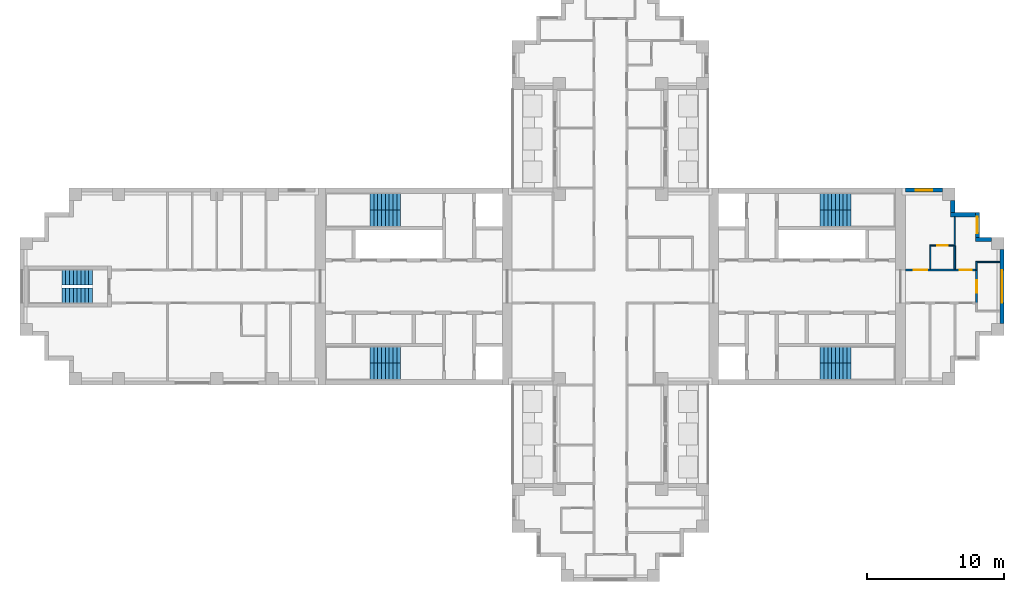
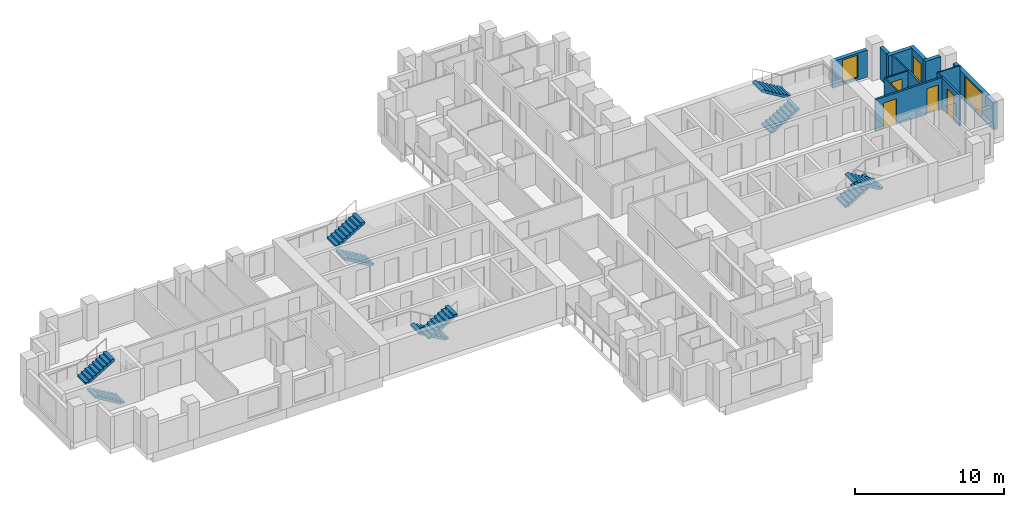
# One storey, part 8 of 10: 14 walls, 10 stair flights, 4 doors, 3 windows, 7 openings, 5 elements without a shape of their own.
"""IFC4 building model written with IfcOpenShell, lengths in metres."""

from ifc_helpers import new_model, si_unit, direction, frame, frame_2d, origin, place, context, subcontext, project, spatial, polyline, rectangle, outline, extrude, material, layer, layer_set, type_object, element, fill, aggregate, save


model = new_model("IFC4")

# Units and contexts
model_context = context("Model", 3, precision=1e-05, world=origin(), true_north=direction((0.0, 1.0)))
body_context = subcontext(model_context, "Body", "Model", "MODEL_VIEW")
ifc_project = project(units=[si_unit("LENGTHUNIT", "METRE"), si_unit("AREAUNIT", "SQUARE_METRE"), si_unit("VOLUMEUNIT", "CUBIC_METRE"), si_unit("PLANEANGLEUNIT", "RADIAN"), si_unit("MASSUNIT", "GRAM", prefix="KILO")], contexts=[model_context])

# Site, building, storey
site_placement = place(None, origin())
site = spatial("IfcSite", under=ifc_project, at=site_placement, CompositionType="ELEMENT")
building_placement = place(site_placement, origin())
building = spatial("IfcBuilding", under=site, at=building_placement, Name="Fustian Cross Tower", CompositionType="ELEMENT")
storey_placement = place(building_placement, frame((0.0, 0.0, 182.699951171875)))
storey = spatial("IfcBuildingStorey", under=building, at=storey_placement, Name="L57", CompositionType="ELEMENT", Elevation=182.699951171875)

# Wall, openings, doors
ifc_material_1 = material(Name="Plasterboard on steel stud", Category="steel")
ifc_layer_1 = layer(ifc_material_1, 0.14990234375)
ifc_layer_set_1 = layer_set([ifc_layer_1], Name="Plasterboard on steel stud")
wall_type_1 = type_object("IfcWallType", Name="COMPARTMENT WALL 150 EI 60", PredefinedType="PARTITIONING", material=ifc_layer_set_1)
wall_1_placement = place(storey_placement, frame((21.60009765625, 1.199951171875, 0.0), z_axis=(0.0, 0.0, 1.0), x_axis=(1.0, 0.0, 0.0)))
wall_1 = element("IfcWall", 1, at=wall_1_placement, inside=storey, type_object=wall_type_1, Name="Partition 59", PredefinedType="PARTITIONING", context=body_context, shape_type="SweptSolid", body=[
    extrude(rectangle(XDim=5.125, YDim=0.14990234375, at=frame_2d((2.5625, 0.0))), origin(), (0.0, 0.0, 1.0), 2.60009765625),
])
opening_1_placement = place(wall_1_placement, frame((0.60009765625, 0.0, 0.0)))
opening_1 = element("IfcOpeningElement", 2, at=opening_1_placement, cuts=wall_1, Name="Opening D26012", PredefinedType="OPENING", context=body_context, shape_type="SweptSolid", body=[
    extrude(rectangle(XDim=1.0, YDim=2.10009765625, at=frame_2d((0.5, 1.050048828125))), frame((0.0, 0.0849609375, 0.0), z_axis=(0.0, -1.0, 0.0), x_axis=(1.0, 0.0, 0.0)), (0.0, 0.0, 1.0), 0.169921875),
])
opening_2_placement = place(wall_1_placement, frame((3.949951171875, 0.0, 0.0)))
opening_2 = element("IfcOpeningElement", 3, at=opening_2_placement, cuts=wall_1, Name="Opening D26013", PredefinedType="OPENING", context=body_context, shape_type="SweptSolid", body=[
    extrude(rectangle(XDim=0.89990234375, YDim=2.10009765625, at=frame_2d((0.449951171875, 1.050048828125))), frame((0.0, 0.0849609375, 0.0), z_axis=(0.0, -1.0, 0.0), x_axis=(1.0, 0.0, 0.0)), (0.0, 0.0, 1.0), 0.169921875),
])
ifc_material_2 = material(Name="Timber fire door set", Category="wood")
door_type_1 = type_object("IfcDoorType", Name="FIRE SWING DOOR 1000 FD30S", OperationType="SINGLE_SWING_LEFT", PredefinedType="DOOR", material=ifc_material_2)
door_1_placement = place(opening_1_placement, origin())
door_1 = element("IfcDoor", 4, at=door_1_placement, inside=storey, type_object=door_type_1, Name="Door D26012", OperationType="SINGLE_SWING_RIGHT", OverallHeight=2.10009765625, OverallWidth=1.0, PredefinedType="DOOR", context=body_context, shape_type="SweptSolid", body=[
    extrude(rectangle(XDim=1.0, YDim=2.10009765625, at=frame_2d((0.5, 1.050048828125))), frame((0.0, 0.02490234375, 0.0), z_axis=(0.0, -1.0, 0.0), x_axis=(1.0, 0.0, 0.0)), (0.0, 0.0, 1.0), 0.050048828125),
])
fill(opening_1, door_1)
ifc_material_3 = material(Name="Timber fire door set", Category="wood")
door_type_2 = type_object("IfcDoorType", Name="FIRE SWING DOOR 900 FD30S", OperationType="SINGLE_SWING_LEFT", PredefinedType="DOOR", material=ifc_material_3)
door_2_placement = place(opening_2_placement, origin())
door_2 = element("IfcDoor", 5, at=door_2_placement, inside=storey, type_object=door_type_2, Name="Door D26013", OperationType="SINGLE_SWING_LEFT", OverallHeight=2.10009765625, OverallWidth=0.89990234375, PredefinedType="DOOR", context=body_context, shape_type="SweptSolid", body=[
    extrude(rectangle(XDim=0.89990234375, YDim=2.10009765625, at=frame_2d((0.449951171875, 1.050048828125))), frame((0.0, 0.02490234375, 0.0), z_axis=(0.0, -1.0, 0.0), x_axis=(1.0, 0.0, 0.0)), (0.0, 0.0, 1.0), 0.050048828125),
])
fill(opening_2, door_2)

# Wall, opening, door
wall_2_placement = place(storey_placement, frame((26.800048828125, -1.199951171875, 0.0), z_axis=(0.0, 0.0, 1.0), x_axis=(0.0, 1.0, 0.0)))
wall_2 = element("IfcWall", 6, at=wall_2_placement, inside=storey, type_object=wall_type_1, Name="Partition 68", PredefinedType="PARTITIONING", context=body_context, shape_type="SweptSolid", body=[
    extrude(rectangle(XDim=2.39990234375, YDim=0.14990234375, at=frame_2d((1.199951171875, 0.0))), origin(), (0.0, 0.0, 1.0), 2.60009765625),
])
opening_3_placement = place(wall_2_placement, frame((0.75, 0.0, 0.0)))
opening_3 = element("IfcOpeningElement", 7, at=opening_3_placement, cuts=wall_2, Name="Opening D26010", PredefinedType="OPENING", context=body_context, shape_type="SweptSolid", body=[
    extrude(rectangle(XDim=0.89990234375, YDim=2.10009765625, at=frame_2d((0.449951171875, 1.050048828125))), frame((0.0, 0.0849609375, 0.0), z_axis=(0.0, -1.0, 0.0), x_axis=(1.0, 0.0, 0.0)), (0.0, 0.0, 1.0), 0.169921875),
])
door_3_placement = place(opening_3_placement, frame((0.89990234375, 0.0, 0.0), z_axis=(0.0, 0.0, 1.0), x_axis=(-1.0, 0.0, 0.0)))
door_3 = element("IfcDoor", 8, at=door_3_placement, inside=storey, type_object=door_type_2, Name="Door D26010", OperationType="SINGLE_SWING_RIGHT", OverallHeight=2.10009765625, OverallWidth=0.89990234375, PredefinedType="DOOR", context=body_context, shape_type="SweptSolid", body=[
    extrude(rectangle(XDim=0.89990234375, YDim=2.10009765625, at=frame_2d((0.449951171875, 1.050048828125))), frame((0.0, 0.02490234375, 0.0), z_axis=(0.0, -1.0, 0.0), x_axis=(1.0, 0.0, 0.0)), (0.0, 0.0, 1.0), 0.050048828125),
])
fill(opening_3, door_3)

# Wall
ifc_material_4 = material(Name="Plasterboard on steel stud", Category="steel")
ifc_layer_2 = layer(ifc_material_4, 0.10009765625)
ifc_layer_set_2 = layer_set([ifc_layer_2], Name="Plasterboard on steel stud")
wall_type_2 = type_object("IfcWallType", Name="PARTITION 100 STUD", PredefinedType="PARTITIONING", material=ifc_layer_set_2)
wall_3_placement = place(storey_placement, frame((23.39990234375, 1.27490234375, 0.0), z_axis=(0.0, 0.0, 1.0), x_axis=(0.0, 1.0, 0.0)))
element("IfcWall", 9, at=wall_3_placement, inside=storey, type_object=wall_type_2, Name="Partition 61", PredefinedType="PARTITIONING", context=body_context, shape_type="SweptSolid", body=[
    extrude(rectangle(XDim=1.775146484375, YDim=0.10009765625, at=frame_2d((0.8876953125, 0.0))), origin(), (0.0, 0.0, 1.0), 2.60009765625),
])

# Wall, opening, door
wall_4_placement = place(storey_placement, frame((23.449951171875, 3.0, 0.0), z_axis=(0.0, 0.0, 1.0), x_axis=(1.0, 0.0, 0.0)))
wall_4 = element("IfcWall", 10, at=wall_4_placement, inside=storey, type_object=wall_type_2, Name="Partition 62", PredefinedType="PARTITIONING", context=body_context, shape_type="SweptSolid", body=[
    extrude(rectangle(XDim=1.6875, YDim=0.10009765625, at=frame_2d((0.84375, 0.0))), origin(), (0.0, 0.0, 1.0), 2.60009765625),
])
opening_4_placement = place(wall_4_placement, frame((0.449951171875, 0.0, 0.0)))
opening_4 = element("IfcOpeningElement", 11, at=opening_4_placement, cuts=wall_4, Name="Opening D26011", PredefinedType="OPENING", context=body_context, shape_type="SweptSolid", body=[
    extrude(rectangle(XDim=0.800048828125, YDim=2.10009765625, at=frame_2d((0.39990234375, 1.050048828125))), frame((0.0, 0.06005859375, 0.0), z_axis=(0.0, -1.0, 0.0), x_axis=(1.0, 0.0, 0.0)), (0.0, 0.0, 1.0), 0.1201171875),
])
ifc_material_5 = material(Name="Painted timber", Category="wood")
door_type_3 = type_object("IfcDoorType", Name="SWING DOOR 800", OperationType="SINGLE_SWING_LEFT", PredefinedType="DOOR", material=ifc_material_5)
door_4_placement = place(opening_4_placement, frame((0.800048828125, 0.0, 0.0), z_axis=(0.0, 0.0, 1.0), x_axis=(-1.0, 0.0, 0.0)))
door_4 = element("IfcDoor", 12, at=door_4_placement, inside=storey, type_object=door_type_3, Name="Door D26011", OperationType="SINGLE_SWING_LEFT", OverallHeight=2.10009765625, OverallWidth=0.800048828125, PredefinedType="DOOR", context=body_context, shape_type="SweptSolid", body=[
    extrude(rectangle(XDim=0.800048828125, YDim=2.10009765625, at=frame_2d((0.39990234375, 1.050048828125))), frame((0.0, 0.02490234375, 0.0), z_axis=(0.0, -1.0, 0.0), x_axis=(1.0, 0.0, 0.0)), (0.0, 0.0, 1.0), 0.050048828125),
])
fill(opening_4, door_4)

# Walls
wall_5_placement = place(storey_placement, frame((25.199951171875, 3.0, 0.0), z_axis=(0.0, 0.0, 1.0), x_axis=(0.0, 1.0, 0.0)))
element("IfcWall", 13, at=wall_5_placement, inside=storey, type_object=wall_type_2, Name="Partition 65", PredefinedType="PARTITIONING", context=body_context, shape_type="SweptSolid", body=[
    extrude(rectangle(XDim=2.10009765625, YDim=0.10009765625, at=frame_2d((1.050048828125, 0.0))), origin(), (0.0, 0.0, 1.0), 2.60009765625),
])
wall_6_placement = place(storey_placement, frame((26.800048828125, 1.199951171875, 0.0), z_axis=(0.0, 0.0, 1.0), x_axis=(0.0, 1.0, 0.0)))
element("IfcWall", 14, at=wall_6_placement, inside=storey, type_object=wall_type_2, Name="Partition 69", PredefinedType="PARTITIONING", context=body_context, shape_type="SweptSolid", body=[
    extrude(rectangle(XDim=0.650146484375, YDim=0.10009765625, at=frame_2d((0.3251953125, 0.0))), origin(), (0.0, 0.0, 1.0), 2.60009765625),
])
wall_7_placement = place(storey_placement, frame((26.85009765625, 1.800048828125, 0.0), z_axis=(0.0, 0.0, 1.0), x_axis=(1.0, 0.0, 0.0)))
element("IfcWall", 15, at=wall_7_placement, inside=storey, type_object=wall_type_2, Name="Partition 70", PredefinedType="PARTITIONING", context=body_context, shape_type="SweptSolid", body=[
    extrude(rectangle(XDim=1.64990234375, YDim=0.10009765625, at=frame_2d((0.824951171875, 0.0))), origin(), (0.0, 0.0, 1.0), 2.60009765625),
])
ifc_material_6 = material(Name="Plasterboard on steel stud", Category="steel")
ifc_layer_3 = layer(ifc_material_6, 0.125)
ifc_layer_set_3 = layer_set([ifc_layer_3], Name="Plasterboard on steel stud")
wall_type_3 = type_object("IfcWallType", Name="WET WALL 125 STUD", PredefinedType="PARTITIONING", material=ifc_layer_set_3)
wall_8_placement = place(storey_placement, frame((25.199951171875, 1.27490234375, 0.0), z_axis=(0.0, 0.0, 1.0), x_axis=(0.0, 1.0, 0.0)))
element("IfcWall", 16, at=wall_8_placement, inside=storey, type_object=wall_type_3, Name="Partition 64", PredefinedType="PARTITIONING", context=body_context, shape_type="SweptSolid", body=[
    extrude(rectangle(XDim=1.72509765625, YDim=0.125, at=frame_2d((0.862548828125, 0.0))), origin(), (0.0, 0.0, 1.0), 2.60009765625),
])

# Wall, opening, window
ifc_material_7 = material(Name="Dark aluminium cladding on insulated backing wall", Category="aluminium")
ifc_layer_4 = layer(ifc_material_7, 0.300048828125)
ifc_layer_set_4 = layer_set([ifc_layer_4], Name="Dark aluminium cladding on insulated backing wall")
wall_type_4 = type_object("IfcWallType", Name="XW1 EXTERNAL WALL 300", PredefinedType="SOLIDWALL", material=ifc_layer_set_4)
wall_9_placement = place(storey_placement, frame((28.64990234375, -2.699951171875, 0.0), z_axis=(0.0, 0.0, 1.0), x_axis=(0.0, 1.0, 0.0)))
wall_9 = element("IfcWall", 17, at=wall_9_placement, inside=storey, type_object=wall_type_4, Name="External wall", PredefinedType="SOLIDWALL", context=body_context, shape_type="SweptSolid", body=[
    extrude(rectangle(XDim=5.39990234375, YDim=0.300048828125, at=frame_2d((2.699951171875, 0.0))), origin(), (0.0, 0.0, 1.0), 2.199951171875),
])
opening_5_placement = place(wall_9_placement, frame((1.5, 0.0, 0.199951171875)))
opening_5 = element("IfcOpeningElement", 18, at=opening_5_placement, cuts=wall_9, Name="Opening WN1", PredefinedType="OPENING", context=body_context, shape_type="SweptSolid", body=[
    extrude(rectangle(XDim=2.39990234375, YDim=1.85009765625, at=frame_2d((1.199951171875, 0.925048828125))), frame((0.0, 0.159912109375, 0.0), z_axis=(0.0, -1.0, 0.0), x_axis=(1.0, 0.0, 0.0)), (0.0, 0.0, 1.0), 0.320068359375),
])
ifc_material_8 = material(Name="Dark anodised aluminium and double glazing", Category="aluminium")
window_type_1 = type_object("IfcWindowType", Name="WN1 WINDOW 2400X1850", PartitioningType="SINGLE_PANEL", PredefinedType="WINDOW", material=ifc_material_8)
window_1_placement = place(opening_5_placement, origin())
window_1 = element("IfcWindow", 19, at=window_1_placement, inside=storey, type_object=window_type_1, Name="Window", OverallHeight=1.85009765625, OverallWidth=2.39990234375, PartitioningType="SINGLE_PANEL", PredefinedType="WINDOW", context=body_context, shape_type="SweptSolid", body=[
    extrude(rectangle(XDim=2.39990234375, YDim=1.85009765625, at=frame_2d((1.199951171875, 0.925048828125))), frame((0.0, 0.030029296875, 0.0), z_axis=(0.0, -1.0, 0.0), x_axis=(1.0, 0.0, 0.0)), (0.0, 0.0, 1.0), 0.06005859375),
])
fill(opening_5, window_1)

# Wall
wall_10_placement = place(storey_placement, frame((27.89990234375, 3.449951171875, 0.0), z_axis=(0.0, 0.0, 1.0), x_axis=(-1.0, 0.0, 0.0)))
element("IfcWall", 20, at=wall_10_placement, inside=storey, type_object=wall_type_4, Name="External wall", PredefinedType="SOLIDWALL", context=body_context, shape_type="SweptSolid", body=[
    extrude(rectangle(XDim=1.199951171875, YDim=0.300048828125, at=frame_2d((0.60009765625, 0.0))), origin(), (0.0, 0.0, 1.0), 2.60009765625),
])

# Wall, opening, window
wall_11_placement = place(storey_placement, frame((26.85009765625, 3.60009765625, 0.0), z_axis=(0.0, 0.0, 1.0), x_axis=(0.0, 1.0, 0.0)))
wall_11 = element("IfcWall", 21, at=wall_11_placement, inside=storey, type_object=wall_type_4, Name="External wall", PredefinedType="SOLIDWALL", context=body_context, shape_type="SweptSolid", body=[
    extrude(rectangle(XDim=1.7998046875, YDim=0.300048828125, at=frame_2d((0.89990234375, 0.0))), origin(), (0.0, 0.0, 1.0), 2.60009765625),
])
opening_6_placement = place(wall_11_placement, frame((0.300048828125, 0.0, 0.199951171875)))
opening_6 = element("IfcOpeningElement", 22, at=opening_6_placement, cuts=wall_11, Name="Opening WN3", PredefinedType="OPENING", context=body_context, shape_type="SweptSolid", body=[
    extrude(rectangle(XDim=1.199951171875, YDim=1.85009765625, at=frame_2d((0.60009765625, 0.925048828125))), frame((0.0, 0.159912109375, 0.0), z_axis=(0.0, -1.0, 0.0), x_axis=(1.0, 0.0, 0.0)), (0.0, 0.0, 1.0), 0.320068359375),
])
ifc_material_9 = material(Name="Dark anodised aluminium and double glazing", Category="aluminium")
window_type_2 = type_object("IfcWindowType", Name="WN3 WINDOW 1200X1850", PartitioningType="SINGLE_PANEL", PredefinedType="WINDOW", material=ifc_material_9)
window_2_placement = place(opening_6_placement, origin())
window_2 = element("IfcWindow", 23, at=window_2_placement, inside=storey, type_object=window_type_2, Name="Window", OverallHeight=1.85009765625, OverallWidth=1.199951171875, PartitioningType="SINGLE_PANEL", PredefinedType="WINDOW", context=body_context, shape_type="SweptSolid", body=[
    extrude(rectangle(XDim=1.199951171875, YDim=1.85009765625, at=frame_2d((0.60009765625, 0.925048828125))), frame((0.0, 0.030029296875, 0.0), z_axis=(0.0, -1.0, 0.0), x_axis=(1.0, 0.0, 0.0)), (0.0, 0.0, 1.0), 0.06005859375),
])
fill(opening_6, window_2)

# Walls
wall_12_placement = place(storey_placement, frame((26.699951171875, 5.25, 0.0), z_axis=(0.0, 0.0, 1.0), x_axis=(-1.0, 0.0, 0.0)))
element("IfcWall", 24, at=wall_12_placement, inside=storey, type_object=wall_type_4, Name="External wall", PredefinedType="SOLIDWALL", context=body_context, shape_type="SweptSolid", body=[
    extrude(rectangle(XDim=1.800048828125, YDim=0.300048828125, at=frame_2d((0.89990234375, 0.0))), origin(), (0.0, 0.0, 1.0), 2.60009765625),
])
wall_13_placement = place(storey_placement, frame((25.050048828125, 5.39990234375, 0.0), z_axis=(0.0, 0.0, 1.0), x_axis=(0.0, 1.0, 0.0)))
element("IfcWall", 25, at=wall_13_placement, inside=storey, type_object=wall_type_4, Name="External wall", PredefinedType="SOLIDWALL", context=body_context, shape_type="SweptSolid", body=[
    extrude(rectangle(XDim=0.900146484375, YDim=0.300048828125, at=frame_2d((0.4501953125, 0.0))), origin(), (0.0, 0.0, 1.0), 2.60009765625),
])

# Wall, opening, window
wall_14_placement = place(storey_placement, frame((24.300048828125, 7.050048828125, 0.0), z_axis=(0.0, 0.0, 1.0), x_axis=(-1.0, 0.0, 0.0)))
wall_14 = element("IfcWall", 26, at=wall_14_placement, inside=storey, type_object=wall_type_4, Name="External wall", PredefinedType="SOLIDWALL", context=body_context, shape_type="SweptSolid", body=[
    extrude(rectangle(XDim=2.699951171875, YDim=0.300048828125, at=frame_2d((1.35009765625, 0.0))), origin(), (0.0, 0.0, 1.0), 2.199951171875),
])
opening_7_placement = place(wall_14_placement, frame((0.75, 0.0, 0.199951171875)))
opening_7 = element("IfcOpeningElement", 27, at=opening_7_placement, cuts=wall_14, Name="Opening WN3", PredefinedType="OPENING", context=body_context, shape_type="SweptSolid", body=[
    extrude(rectangle(XDim=1.199951171875, YDim=1.85009765625, at=frame_2d((0.60009765625, 0.925048828125))), frame((0.0, 0.159912109375, 0.0), z_axis=(0.0, -1.0, 0.0), x_axis=(1.0, 0.0, 0.0)), (0.0, 0.0, 1.0), 0.320068359375),
])
window_3_placement = place(opening_7_placement, origin())
window_3 = element("IfcWindow", 28, at=window_3_placement, inside=storey, type_object=window_type_2, Name="Window", OverallHeight=1.85009765625, OverallWidth=1.199951171875, PartitioningType="SINGLE_PANEL", PredefinedType="WINDOW", context=body_context, shape_type="SweptSolid", body=[
    extrude(rectangle(XDim=1.199951171875, YDim=1.85009765625, at=frame_2d((0.60009765625, 0.925048828125))), frame((0.0, 0.030029296875, 0.0), z_axis=(0.0, -1.0, 0.0), x_axis=(1.0, 0.0, 0.0)), (0.0, 0.0, 1.0), 0.06005859375),
])
fill(opening_7, window_3)

# Stair, stair flights
ifc_material_10 = material(Name="Concrete C50/60", Category="concrete")
stair_type_1 = type_object("IfcStairType", Name="STAIR 1100 HALF TURN", PredefinedType="HALF_TURN_STAIR", material=ifc_material_10)
stair_1_placement = place(storey_placement, origin())
stair_1 = element("IfcStair", 29, at=stair_1_placement, inside=storey, type_object=stair_type_1, Name="Stair ST9", PredefinedType="HALF_TURN_STAIR")
ifc_material_11 = material(Name="Concrete C50/60", Category="concrete")
stair_flight_type_1 = type_object("IfcStairFlightType", Name="STAIR FLIGHT 1100", PredefinedType="STRAIGHT", material=ifc_material_11)
stair_flight_1_placement = place(storey_placement, frame((-37.89990234375, -0.64990234375, 0.0), z_axis=(0.0, 0.0, 1.0), x_axis=(-1.0, 0.0, 0.0)))
stair_flight_1 = element("IfcStairFlight", 30, at=stair_flight_1_placement, type_object=stair_flight_type_1, Name="ST9 flight 1", NumberOfRisers=9, NumberOfTreads=8, PredefinedType="STRAIGHT", RiserHeight=0.166666667, TreadLength=0.28, context=body_context, shape_type="SweptSolid", body=[
    extrude(outline(polyline([(0.0, 0.0), (0.0, 0.166748046875), (0.280029296875, 0.166748046875), (0.280029296875, 0.333251953125), (0.56005859375, 0.333251953125), (0.56005859375, 0.5), (0.840087890625, 0.5), (0.840087890625, 0.666748046875), (1.1201171875, 0.666748046875), (1.1201171875, 0.833251953125), (1.39990234375, 0.833251953125), (1.39990234375, 1.0), (1.679931640625, 1.0), (1.679931640625, 1.166748046875), (1.9599609375, 1.166748046875), (1.9599609375, 1.333251953125), (2.239990234375, 1.333251953125), (2.239990234375, 1.5), (2.239990234375, 1.158935546875), (0.29296875, 0.0), (0.0, 0.0)])), frame((0.0, 0.550048828125, 0.0), z_axis=(0.0, -1.0, 0.0), x_axis=(1.0, 0.0, 0.0)), (0.0, 0.0, 1.0), 1.10009765625),
])
stair_flight_2_placement = place(storey_placement, frame((-40.139892578125, 0.64990234375, 1.5), z_axis=(0.0, 0.0, 1.0), x_axis=(1.0, 0.0, 0.0)))
stair_flight_2 = element("IfcStairFlight", 31, at=stair_flight_2_placement, type_object=stair_flight_type_1, Name="ST9 flight 2", NumberOfRisers=9, NumberOfTreads=8, PredefinedType="STRAIGHT", RiserHeight=0.166666667, TreadLength=0.28, context=body_context, shape_type="SweptSolid", body=[
    extrude(outline(polyline([(0.0, 0.0), (0.0, 0.166748046875), (0.280029296875, 0.166748046875), (0.280029296875, 0.333251953125), (0.56005859375, 0.333251953125), (0.56005859375, 0.5), (0.840087890625, 0.5), (0.840087890625, 0.666748046875), (1.1201171875, 0.666748046875), (1.1201171875, 0.833251953125), (1.39990234375, 0.833251953125), (1.39990234375, 1.0), (1.679931640625, 1.0), (1.679931640625, 1.166748046875), (1.9599609375, 1.166748046875), (1.9599609375, 1.333251953125), (2.239990234375, 1.333251953125), (2.239990234375, 1.5), (2.239990234375, 1.158935546875), (0.29296875, 0.0), (0.0, 0.0)])), frame((0.0, 0.550048828125, 0.0), z_axis=(0.0, -1.0, 0.0), x_axis=(1.0, 0.0, 0.0)), (0.0, 0.0, 1.0), 1.10009765625),
])
aggregate(stair_1, [stair_flight_1, stair_flight_2])

ifc_material_12 = material(Name="Concrete C50/60", Category="concrete")
stair_type_2 = type_object("IfcStairType", Name="STAIR 1200 HALF TURN", PredefinedType="HALF_TURN_STAIR", material=ifc_material_12)
stair_2_placement = place(storey_placement, origin())
stair_2 = element("IfcStair", 32, at=stair_2_placement, inside=storey, type_object=stair_type_2, Name="Stair ST1", PredefinedType="HALF_TURN_STAIR")
ifc_material_13 = material(Name="Concrete C50/60", Category="concrete")
stair_flight_type_2 = type_object("IfcStairFlightType", Name="STAIR FLIGHT 1200", PredefinedType="STRAIGHT", material=ifc_material_13)
stair_flight_3_placement = place(storey_placement, frame((15.35009765625, 5.0, 0.0), z_axis=(0.0, 0.0, 1.0), x_axis=(1.0, 0.0, 0.0)))
stair_flight_3 = element("IfcStairFlight", 33, at=stair_flight_3_placement, type_object=stair_flight_type_2, Name="ST1 flight 1", NumberOfRisers=9, NumberOfTreads=8, PredefinedType="STRAIGHT", RiserHeight=0.166666667, TreadLength=0.28, context=body_context, shape_type="SweptSolid", body=[
    extrude(outline(polyline([(0.0, 0.0), (0.0, 0.166748046875), (0.280029296875, 0.166748046875), (0.280029296875, 0.333251953125), (0.56005859375, 0.333251953125), (0.56005859375, 0.5), (0.840087890625, 0.5), (0.840087890625, 0.666748046875), (1.1201171875, 0.666748046875), (1.1201171875, 0.833251953125), (1.39990234375, 0.833251953125), (1.39990234375, 1.0), (1.679931640625, 1.0), (1.679931640625, 1.166748046875), (1.9599609375, 1.166748046875), (1.9599609375, 1.333251953125), (2.239990234375, 1.333251953125), (2.239990234375, 1.5), (2.239990234375, 1.158935546875), (0.29296875, 0.0), (0.0, 0.0)])), frame((0.0, 0.60009765625, 0.0), z_axis=(0.0, -1.0, 0.0), x_axis=(1.0, 0.0, 0.0)), (0.0, 0.0, 1.0), 1.199951171875),
])
stair_flight_4_placement = place(storey_placement, frame((17.590087890625, 6.199951171875, 1.5), z_axis=(0.0, 0.0, 1.0), x_axis=(-1.0, 0.0, 0.0)))
stair_flight_4 = element("IfcStairFlight", 34, at=stair_flight_4_placement, type_object=stair_flight_type_2, Name="ST1 flight 2", NumberOfRisers=9, NumberOfTreads=8, PredefinedType="STRAIGHT", RiserHeight=0.166666667, TreadLength=0.28, context=body_context, shape_type="SweptSolid", body=[
    extrude(outline(polyline([(0.0, 0.0), (0.0, 0.166748046875), (0.280029296875, 0.166748046875), (0.280029296875, 0.333251953125), (0.56005859375, 0.333251953125), (0.56005859375, 0.5), (0.840087890625, 0.5), (0.840087890625, 0.666748046875), (1.1201171875, 0.666748046875), (1.1201171875, 0.833251953125), (1.39990234375, 0.833251953125), (1.39990234375, 1.0), (1.679931640625, 1.0), (1.679931640625, 1.166748046875), (1.9599609375, 1.166748046875), (1.9599609375, 1.333251953125), (2.239990234375, 1.333251953125), (2.239990234375, 1.5), (2.239990234375, 1.158935546875), (0.29296875, 0.0), (0.0, 0.0)])), frame((0.0, 0.60009765625, 0.0), z_axis=(0.0, -1.0, 0.0), x_axis=(1.0, 0.0, 0.0)), (0.0, 0.0, 1.0), 1.199951171875),
])
aggregate(stair_2, [stair_flight_3, stair_flight_4])

stair_3_placement = place(storey_placement, origin())
stair_3 = element("IfcStair", 35, at=stair_3_placement, inside=storey, type_object=stair_type_2, Name="Stair ST2", PredefinedType="HALF_TURN_STAIR")
stair_flight_5_placement = place(storey_placement, frame((15.35009765625, -5.0, 0.0), z_axis=(0.0, 0.0, 1.0), x_axis=(1.0, 0.0, 0.0)))
stair_flight_5 = element("IfcStairFlight", 36, at=stair_flight_5_placement, type_object=stair_flight_type_2, Name="ST2 flight 1", NumberOfRisers=9, NumberOfTreads=8, PredefinedType="STRAIGHT", RiserHeight=0.166666667, TreadLength=0.28, context=body_context, shape_type="SweptSolid", body=[
    extrude(outline(polyline([(0.0, 0.0), (0.0, 0.166748046875), (0.280029296875, 0.166748046875), (0.280029296875, 0.333251953125), (0.56005859375, 0.333251953125), (0.56005859375, 0.5), (0.840087890625, 0.5), (0.840087890625, 0.666748046875), (1.1201171875, 0.666748046875), (1.1201171875, 0.833251953125), (1.39990234375, 0.833251953125), (1.39990234375, 1.0), (1.679931640625, 1.0), (1.679931640625, 1.166748046875), (1.9599609375, 1.166748046875), (1.9599609375, 1.333251953125), (2.239990234375, 1.333251953125), (2.239990234375, 1.5), (2.239990234375, 1.158935546875), (0.29296875, 0.0), (0.0, 0.0)])), frame((0.0, 0.60009765625, 0.0), z_axis=(0.0, -1.0, 0.0), x_axis=(1.0, 0.0, 0.0)), (0.0, 0.0, 1.0), 1.199951171875),
])
stair_flight_6_placement = place(storey_placement, frame((17.590087890625, -6.199951171875, 1.5), z_axis=(0.0, 0.0, 1.0), x_axis=(-1.0, 0.0, 0.0)))
stair_flight_6 = element("IfcStairFlight", 37, at=stair_flight_6_placement, type_object=stair_flight_type_2, Name="ST2 flight 2", NumberOfRisers=9, NumberOfTreads=8, PredefinedType="STRAIGHT", RiserHeight=0.166666667, TreadLength=0.28, context=body_context, shape_type="SweptSolid", body=[
    extrude(outline(polyline([(0.0, 0.0), (0.0, 0.166748046875), (0.280029296875, 0.166748046875), (0.280029296875, 0.333251953125), (0.56005859375, 0.333251953125), (0.56005859375, 0.5), (0.840087890625, 0.5), (0.840087890625, 0.666748046875), (1.1201171875, 0.666748046875), (1.1201171875, 0.833251953125), (1.39990234375, 0.833251953125), (1.39990234375, 1.0), (1.679931640625, 1.0), (1.679931640625, 1.166748046875), (1.9599609375, 1.166748046875), (1.9599609375, 1.333251953125), (2.239990234375, 1.333251953125), (2.239990234375, 1.5), (2.239990234375, 1.158935546875), (0.29296875, 0.0), (0.0, 0.0)])), frame((0.0, 0.60009765625, 0.0), z_axis=(0.0, -1.0, 0.0), x_axis=(1.0, 0.0, 0.0)), (0.0, 0.0, 1.0), 1.199951171875),
])
aggregate(stair_3, [stair_flight_5, stair_flight_6])

stair_4_placement = place(storey_placement, origin())
stair_4 = element("IfcStair", 38, at=stair_4_placement, inside=storey, type_object=stair_type_2, Name="Stair ST3", PredefinedType="HALF_TURN_STAIR")
stair_flight_7_placement = place(storey_placement, frame((-15.35009765625, 5.0, 0.0), z_axis=(0.0, 0.0, 1.0), x_axis=(-1.0, 0.0, 0.0)))
stair_flight_7 = element("IfcStairFlight", 39, at=stair_flight_7_placement, type_object=stair_flight_type_2, Name="ST3 flight 1", NumberOfRisers=9, NumberOfTreads=8, PredefinedType="STRAIGHT", RiserHeight=0.166666667, TreadLength=0.28, context=body_context, shape_type="SweptSolid", body=[
    extrude(outline(polyline([(0.0, 0.0), (0.0, 0.166748046875), (0.280029296875, 0.166748046875), (0.280029296875, 0.333251953125), (0.56005859375, 0.333251953125), (0.56005859375, 0.5), (0.840087890625, 0.5), (0.840087890625, 0.666748046875), (1.1201171875, 0.666748046875), (1.1201171875, 0.833251953125), (1.39990234375, 0.833251953125), (1.39990234375, 1.0), (1.679931640625, 1.0), (1.679931640625, 1.166748046875), (1.9599609375, 1.166748046875), (1.9599609375, 1.333251953125), (2.239990234375, 1.333251953125), (2.239990234375, 1.5), (2.239990234375, 1.158935546875), (0.29296875, 0.0), (0.0, 0.0)])), frame((0.0, 0.60009765625, 0.0), z_axis=(0.0, -1.0, 0.0), x_axis=(1.0, 0.0, 0.0)), (0.0, 0.0, 1.0), 1.199951171875),
])
stair_flight_8_placement = place(storey_placement, frame((-17.590087890625, 6.199951171875, 1.5), z_axis=(0.0, 0.0, 1.0), x_axis=(1.0, 0.0, 0.0)))
stair_flight_8 = element("IfcStairFlight", 40, at=stair_flight_8_placement, type_object=stair_flight_type_2, Name="ST3 flight 2", NumberOfRisers=9, NumberOfTreads=8, PredefinedType="STRAIGHT", RiserHeight=0.166666667, TreadLength=0.28, context=body_context, shape_type="SweptSolid", body=[
    extrude(outline(polyline([(0.0, 0.0), (0.0, 0.166748046875), (0.280029296875, 0.166748046875), (0.280029296875, 0.333251953125), (0.56005859375, 0.333251953125), (0.56005859375, 0.5), (0.840087890625, 0.5), (0.840087890625, 0.666748046875), (1.1201171875, 0.666748046875), (1.1201171875, 0.833251953125), (1.39990234375, 0.833251953125), (1.39990234375, 1.0), (1.679931640625, 1.0), (1.679931640625, 1.166748046875), (1.9599609375, 1.166748046875), (1.9599609375, 1.333251953125), (2.239990234375, 1.333251953125), (2.239990234375, 1.5), (2.239990234375, 1.158935546875), (0.29296875, 0.0), (0.0, 0.0)])), frame((0.0, 0.60009765625, 0.0), z_axis=(0.0, -1.0, 0.0), x_axis=(1.0, 0.0, 0.0)), (0.0, 0.0, 1.0), 1.199951171875),
])
aggregate(stair_4, [stair_flight_7, stair_flight_8])

stair_5_placement = place(storey_placement, origin())
stair_5 = element("IfcStair", 41, at=stair_5_placement, inside=storey, type_object=stair_type_2, Name="Stair ST4", PredefinedType="HALF_TURN_STAIR")
stair_flight_9_placement = place(storey_placement, frame((-15.35009765625, -5.0, 0.0), z_axis=(0.0, 0.0, 1.0), x_axis=(-1.0, 0.0, 0.0)))
stair_flight_9 = element("IfcStairFlight", 42, at=stair_flight_9_placement, type_object=stair_flight_type_2, Name="ST4 flight 1", NumberOfRisers=9, NumberOfTreads=8, PredefinedType="STRAIGHT", RiserHeight=0.166666667, TreadLength=0.28, context=body_context, shape_type="SweptSolid", body=[
    extrude(outline(polyline([(0.0, 0.0), (0.0, 0.166748046875), (0.280029296875, 0.166748046875), (0.280029296875, 0.333251953125), (0.56005859375, 0.333251953125), (0.56005859375, 0.5), (0.840087890625, 0.5), (0.840087890625, 0.666748046875), (1.1201171875, 0.666748046875), (1.1201171875, 0.833251953125), (1.39990234375, 0.833251953125), (1.39990234375, 1.0), (1.679931640625, 1.0), (1.679931640625, 1.166748046875), (1.9599609375, 1.166748046875), (1.9599609375, 1.333251953125), (2.239990234375, 1.333251953125), (2.239990234375, 1.5), (2.239990234375, 1.158935546875), (0.29296875, 0.0), (0.0, 0.0)])), frame((0.0, 0.60009765625, 0.0), z_axis=(0.0, -1.0, 0.0), x_axis=(1.0, 0.0, 0.0)), (0.0, 0.0, 1.0), 1.199951171875),
])
stair_flight_10_placement = place(storey_placement, frame((-17.590087890625, -6.199951171875, 1.5), z_axis=(0.0, 0.0, 1.0), x_axis=(1.0, 0.0, 0.0)))
stair_flight_10 = element("IfcStairFlight", 43, at=stair_flight_10_placement, type_object=stair_flight_type_2, Name="ST4 flight 2", NumberOfRisers=9, NumberOfTreads=8, PredefinedType="STRAIGHT", RiserHeight=0.166666667, TreadLength=0.28, context=body_context, shape_type="SweptSolid", body=[
    extrude(outline(polyline([(0.0, 0.0), (0.0, 0.166748046875), (0.280029296875, 0.166748046875), (0.280029296875, 0.333251953125), (0.56005859375, 0.333251953125), (0.56005859375, 0.5), (0.840087890625, 0.5), (0.840087890625, 0.666748046875), (1.1201171875, 0.666748046875), (1.1201171875, 0.833251953125), (1.39990234375, 0.833251953125), (1.39990234375, 1.0), (1.679931640625, 1.0), (1.679931640625, 1.166748046875), (1.9599609375, 1.166748046875), (1.9599609375, 1.333251953125), (2.239990234375, 1.333251953125), (2.239990234375, 1.5), (2.239990234375, 1.158935546875), (0.29296875, 0.0), (0.0, 0.0)])), frame((0.0, 0.60009765625, 0.0), z_axis=(0.0, -1.0, 0.0), x_axis=(1.0, 0.0, 0.0)), (0.0, 0.0, 1.0), 1.199951171875),
])
aggregate(stair_5, [stair_flight_9, stair_flight_10])

save(model, "model.ifc")
